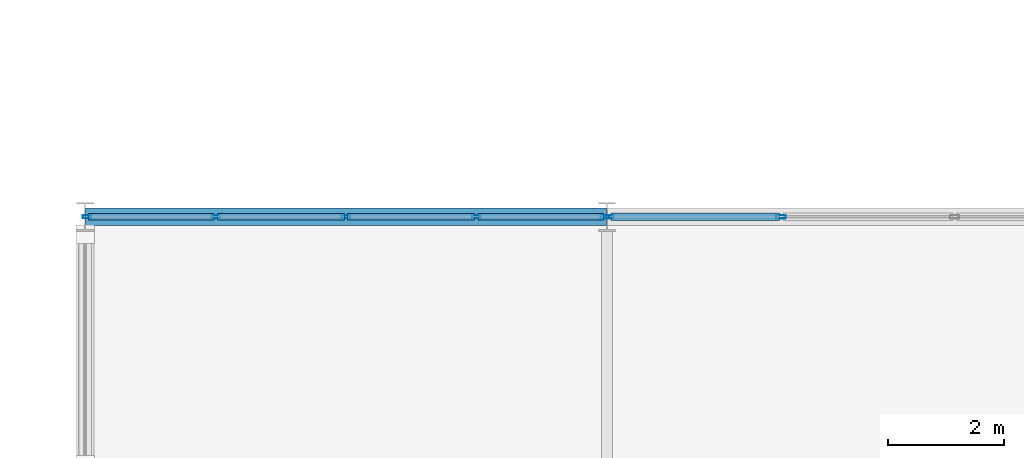
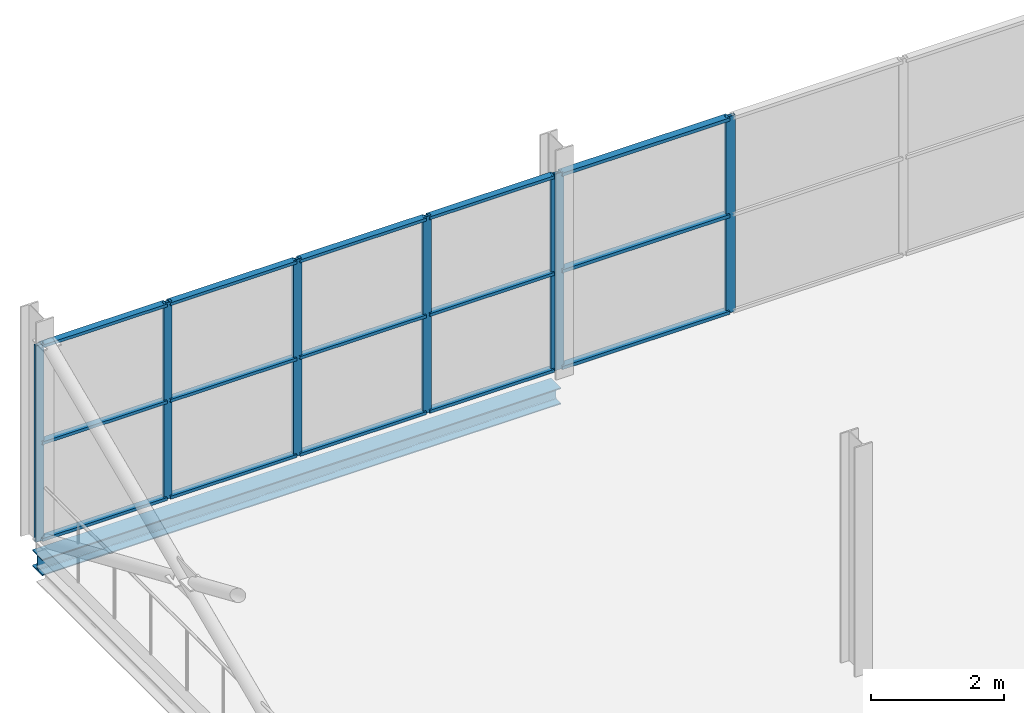
# One storey, part 62 of 135: 22 members, 1 beam, 2 elements without a shape of their own.
"""IFC4 building model written with IfcOpenShell, lengths in metres."""

from ifc_helpers import new_model, si_unit, direction, frame, origin, origin_2d, place, context, subcontext, project, spatial, hollow_rectangle, i_section, extrude, material, layer, layer_set, material_profile, profile_set, type_object, element, aggregate, save


model = new_model("IFC4")

# Units and contexts
model_context = context("Model", 3, precision=1e-05, world=origin(), true_north=direction((0.0, 1.0)))
body_context = subcontext(model_context, "Body", "Model", "MODEL_VIEW")
ifc_project = project(units=[si_unit("LENGTHUNIT", "METRE"), si_unit("AREAUNIT", "SQUARE_METRE"), si_unit("VOLUMEUNIT", "CUBIC_METRE"), si_unit("PLANEANGLEUNIT", "RADIAN"), si_unit("MASSUNIT", "GRAM", prefix="KILO")], contexts=[model_context])

# Site, building, storey
site_placement = place(None, origin())
site = spatial("IfcSite", under=ifc_project, at=site_placement, CompositionType="ELEMENT")
building_placement = place(site_placement, origin())
building = spatial("IfcBuilding", under=site, at=building_placement, Name="Deido Ridge Mobility Hub", CompositionType="ELEMENT")
storey_placement = place(building_placement, frame((0.0, 0.0, 4.199951171875)))
storey = spatial("IfcBuildingStorey", under=building, at=storey_placement, Name="L01", CompositionType="ELEMENT", Elevation=4.199951171875)

# Curtain wall, members
ifc_material_1 = material(Name="Anodised aluminium EN AW-6063 T6", Category="aluminium")
ifc_layer_1 = layer(ifc_material_1, 0.132080078125, Name="Anodised aluminium EN AW-6063 T6")
ifc_layer_set_1 = layer_set([ifc_layer_1], Name="Anodised aluminium EN AW-6063 T6")
curtain_wall_type_1 = type_object("IfcCurtainWallType", Name="CW-GS-1", PredefinedType="USERDEFINED", material=ifc_layer_set_1)
curtain_wall_1_placement = place(storey_placement, origin())
curtain_wall_1 = element("IfcCurtainWall", 1, at=curtain_wall_1_placement, inside=storey, type_object=curtain_wall_type_1, Name="Unitised curtain wall GS1", ObjectType="GLAZED SCREEN", PredefinedType="USERDEFINED")
ifc_material_profile_1 = material_profile(ifc_material_1, hollow_rectangle(XDim=0.054931640625, YDim=0.14501953125, WallThickness=0.00390625, at=origin_2d()), Name="RHS 55x145x4")
ifc_profile_set_1 = profile_set([ifc_material_profile_1], Name="Anodised aluminium EN AW-6063 T6")
member_type_1 = type_object("IfcMemberType", Name="MEM-MUL-55X145", PredefinedType="MULLION", material=ifc_profile_set_1)
member_1_placement = place(storey_placement, frame((0.034912109375, 81.0, 0.0), z_axis=(0.0, 0.0, 1.0), x_axis=(0.0, 1.0, 0.0)))
member_1 = element("IfcMember", 2, at=member_1_placement, type_object=member_type_1, Name="GS1 mullion 1", PredefinedType="MULLION", context=body_context, shape_type="SweptSolid", body=[
    extrude(hollow_rectangle(XDim=0.054931640625, YDim=0.14501953125, WallThickness=0.00390625, at=origin_2d()), origin(), (0.0, 0.0, 1.0), 3.60009765625),
])
member_2_placement = place(storey_placement, frame((2.253662109375, 81.0, 0.0), z_axis=(0.0, 0.0, 1.0), x_axis=(0.0, 1.0, 0.0)))
member_2 = element("IfcMember", 3, at=member_2_placement, type_object=member_type_1, Name="GS1 mullion 2", PredefinedType="MULLION", context=body_context, shape_type="SweptSolid", body=[
    extrude(hollow_rectangle(XDim=0.054931640625, YDim=0.14501953125, WallThickness=0.00390625, at=origin_2d()), origin(), (0.0, 0.0, 1.0), 3.60009765625),
])
member_3_placement = place(storey_placement, frame((4.5, 81.0, 0.0), z_axis=(0.0, 0.0, 1.0), x_axis=(0.0, 1.0, 0.0)))
member_3 = element("IfcMember", 4, at=member_3_placement, type_object=member_type_1, Name="GS1 mullion 3", PredefinedType="MULLION", context=body_context, shape_type="SweptSolid", body=[
    extrude(hollow_rectangle(XDim=0.054931640625, YDim=0.14501953125, WallThickness=0.00390625, at=origin_2d()), origin(), (0.0, 0.0, 1.0), 3.60009765625),
])
member_4_placement = place(storey_placement, frame((6.746337890625, 81.0, 0.0), z_axis=(0.0, 0.0, 1.0), x_axis=(0.0, 1.0, 0.0)))
member_4 = element("IfcMember", 5, at=member_4_placement, type_object=member_type_1, Name="GS1 mullion 4", PredefinedType="MULLION", context=body_context, shape_type="SweptSolid", body=[
    extrude(hollow_rectangle(XDim=0.054931640625, YDim=0.14501953125, WallThickness=0.00390625, at=origin_2d()), origin(), (0.0, 0.0, 1.0), 3.60009765625),
])
member_5_placement = place(storey_placement, frame((8.965087890625, 81.0, 0.0), z_axis=(0.0, 0.0, 1.0), x_axis=(0.0, 1.0, 0.0)))
member_5 = element("IfcMember", 6, at=member_5_placement, type_object=member_type_1, Name="GS1 mullion 5", PredefinedType="MULLION", context=body_context, shape_type="SweptSolid", body=[
    extrude(hollow_rectangle(XDim=0.054931640625, YDim=0.14501953125, WallThickness=0.00390625, at=origin_2d()), origin(), (0.0, 0.0, 1.0), 3.60009765625),
])

ifc_layer_2 = layer(ifc_material_1, 0.14404296875, Name="Anodised aluminium EN AW-6063 T6")
ifc_layer_set_2 = layer_set([ifc_layer_2], Name="Anodised aluminium EN AW-6063 T6")
curtain_wall_type_2 = type_object("IfcCurtainWallType", Name="CW-GS-2", PredefinedType="USERDEFINED", material=ifc_layer_set_2)
curtain_wall_2_placement = place(storey_placement, origin())
curtain_wall_2 = element("IfcCurtainWall", 7, at=curtain_wall_2_placement, inside=storey, type_object=curtain_wall_type_2, Name="Unitised curtain wall GS2", ObjectType="GLAZED SCREEN", PredefinedType="USERDEFINED")
ifc_material_profile_2 = material_profile(ifc_material_1, hollow_rectangle(XDim=0.06005859375, YDim=0.159912109375, WallThickness=0.00390625, at=origin_2d()), Name="RHS 60x160x4")
ifc_profile_set_2 = profile_set([ifc_material_profile_2], Name="Anodised aluminium EN AW-6063 T6")
member_type_2 = type_object("IfcMemberType", Name="MEM-MUL-60X160", PredefinedType="MULLION", material=ifc_profile_set_2)
member_6_placement = place(storey_placement, frame((9.037353515625, 81.0, 0.0), z_axis=(0.0, 0.0, 1.0), x_axis=(0.0, 1.0, 0.0)))
member_6 = element("IfcMember", 8, at=member_6_placement, type_object=member_type_2, Name="GS2 mullion 1", PredefinedType="MULLION", context=body_context, shape_type="SweptSolid", body=[
    extrude(hollow_rectangle(XDim=0.06005859375, YDim=0.159912109375, WallThickness=0.00390625, at=origin_2d()), origin(), (0.0, 0.0, 1.0), 3.60009765625),
])
member_7_placement = place(storey_placement, frame((12.00244140625, 81.0, 0.0), z_axis=(0.0, 0.0, 1.0), x_axis=(0.0, 1.0, 0.0)))
member_7 = element("IfcMember", 9, at=member_7_placement, type_object=member_type_2, Name="GS2 mullion 2", PredefinedType="MULLION", context=body_context, shape_type="SweptSolid", body=[
    extrude(hollow_rectangle(XDim=0.06005859375, YDim=0.159912109375, WallThickness=0.00390625, at=origin_2d()), origin(), (0.0, 0.0, 1.0), 3.60009765625),
])

# Member
ifc_material_profile_3 = material_profile(ifc_material_1, hollow_rectangle(XDim=0.114990234375, YDim=0.054931640625, WallThickness=0.00390625, at=origin_2d()), Name="RHS 115x55x4")
ifc_profile_set_3 = profile_set([ifc_material_profile_3], Name="Anodised aluminium EN AW-6063 T6")
member_type_3 = type_object("IfcMemberType", Name="MEM-TRN-115X55", PredefinedType="USERDEFINED", material=ifc_profile_set_3)
member_8_placement = place(storey_placement, frame((0.062255859375, 81.0, 0.027587890625), z_axis=(1.0, 0.0, 0.0), x_axis=(0.0, 1.0, 0.0)))
member_8 = element("IfcMember", 10, at=member_8_placement, type_object=member_type_3, Name="GS1 transom 1.1", ObjectType="TRANSOM", PredefinedType="USERDEFINED", context=body_context, shape_type="SweptSolid", body=[
    extrude(hollow_rectangle(XDim=0.114990234375, YDim=0.054931640625, WallThickness=0.00390625, at=origin_2d()), origin(), (0.0, 0.0, 1.0), 2.163818359375),
])

member_9_placement = place(storey_placement, frame((0.062255859375, 81.0, 1.800048828125), z_axis=(1.0, 0.0, 0.0), x_axis=(0.0, 1.0, 0.0)))
member_9 = element("IfcMember", 11, at=member_9_placement, type_object=member_type_3, Name="GS1 transom 1.2", ObjectType="TRANSOM", PredefinedType="USERDEFINED", context=body_context, shape_type="SweptSolid", body=[
    extrude(hollow_rectangle(XDim=0.114990234375, YDim=0.054931640625, WallThickness=0.00390625, at=origin_2d()), origin(), (0.0, 0.0, 1.0), 2.163818359375),
])

member_10_placement = place(storey_placement, frame((0.062255859375, 81.0, 3.572509765625), z_axis=(1.0, 0.0, 0.0), x_axis=(0.0, 1.0, 0.0)))
member_10 = element("IfcMember", 12, at=member_10_placement, type_object=member_type_3, Name="GS1 transom 1.3", ObjectType="TRANSOM", PredefinedType="USERDEFINED", context=body_context, shape_type="SweptSolid", body=[
    extrude(hollow_rectangle(XDim=0.114990234375, YDim=0.054931640625, WallThickness=0.00390625, at=origin_2d()), origin(), (0.0, 0.0, 1.0), 2.163818359375),
])

member_11_placement = place(storey_placement, frame((2.28125, 81.0, 0.027587890625), z_axis=(1.0, 0.0, 0.0), x_axis=(0.0, 1.0, 0.0)))
member_11 = element("IfcMember", 13, at=member_11_placement, type_object=member_type_3, Name="GS1 transom 2.1", ObjectType="TRANSOM", PredefinedType="USERDEFINED", context=body_context, shape_type="SweptSolid", body=[
    extrude(hollow_rectangle(XDim=0.114990234375, YDim=0.054931640625, WallThickness=0.00390625, at=origin_2d()), origin(), (0.0, 0.0, 1.0), 2.191162109375),
])

member_12_placement = place(storey_placement, frame((2.28125, 81.0, 1.800048828125), z_axis=(1.0, 0.0, 0.0), x_axis=(0.0, 1.0, 0.0)))
member_12 = element("IfcMember", 14, at=member_12_placement, type_object=member_type_3, Name="GS1 transom 2.2", ObjectType="TRANSOM", PredefinedType="USERDEFINED", context=body_context, shape_type="SweptSolid", body=[
    extrude(hollow_rectangle(XDim=0.114990234375, YDim=0.054931640625, WallThickness=0.00390625, at=origin_2d()), origin(), (0.0, 0.0, 1.0), 2.191162109375),
])

member_13_placement = place(storey_placement, frame((2.28125, 81.0, 3.572509765625), z_axis=(1.0, 0.0, 0.0), x_axis=(0.0, 1.0, 0.0)))
member_13 = element("IfcMember", 15, at=member_13_placement, type_object=member_type_3, Name="GS1 transom 2.3", ObjectType="TRANSOM", PredefinedType="USERDEFINED", context=body_context, shape_type="SweptSolid", body=[
    extrude(hollow_rectangle(XDim=0.114990234375, YDim=0.054931640625, WallThickness=0.00390625, at=origin_2d()), origin(), (0.0, 0.0, 1.0), 2.191162109375),
])

member_14_placement = place(storey_placement, frame((4.527587890625, 81.0, 0.027587890625), z_axis=(1.0, 0.0, 0.0), x_axis=(0.0, 1.0, 0.0)))
member_14 = element("IfcMember", 16, at=member_14_placement, type_object=member_type_3, Name="GS1 transom 3.1", ObjectType="TRANSOM", PredefinedType="USERDEFINED", context=body_context, shape_type="SweptSolid", body=[
    extrude(hollow_rectangle(XDim=0.114990234375, YDim=0.054931640625, WallThickness=0.00390625, at=origin_2d()), origin(), (0.0, 0.0, 1.0), 2.191162109375),
])

member_15_placement = place(storey_placement, frame((4.527587890625, 81.0, 1.800048828125), z_axis=(1.0, 0.0, 0.0), x_axis=(0.0, 1.0, 0.0)))
member_15 = element("IfcMember", 17, at=member_15_placement, type_object=member_type_3, Name="GS1 transom 3.2", ObjectType="TRANSOM", PredefinedType="USERDEFINED", context=body_context, shape_type="SweptSolid", body=[
    extrude(hollow_rectangle(XDim=0.114990234375, YDim=0.054931640625, WallThickness=0.00390625, at=origin_2d()), origin(), (0.0, 0.0, 1.0), 2.191162109375),
])

member_16_placement = place(storey_placement, frame((4.527587890625, 81.0, 3.572509765625), z_axis=(1.0, 0.0, 0.0), x_axis=(0.0, 1.0, 0.0)))
member_16 = element("IfcMember", 18, at=member_16_placement, type_object=member_type_3, Name="GS1 transom 3.3", ObjectType="TRANSOM", PredefinedType="USERDEFINED", context=body_context, shape_type="SweptSolid", body=[
    extrude(hollow_rectangle(XDim=0.114990234375, YDim=0.054931640625, WallThickness=0.00390625, at=origin_2d()), origin(), (0.0, 0.0, 1.0), 2.191162109375),
])

member_17_placement = place(storey_placement, frame((6.77392578125, 81.0, 0.027587890625), z_axis=(1.0, 0.0, 0.0), x_axis=(0.0, 1.0, 0.0)))
member_17 = element("IfcMember", 19, at=member_17_placement, type_object=member_type_3, Name="GS1 transom 4.1", ObjectType="TRANSOM", PredefinedType="USERDEFINED", context=body_context, shape_type="SweptSolid", body=[
    extrude(hollow_rectangle(XDim=0.114990234375, YDim=0.054931640625, WallThickness=0.00390625, at=origin_2d()), origin(), (0.0, 0.0, 1.0), 2.163818359375),
])

member_18_placement = place(storey_placement, frame((6.77392578125, 81.0, 1.800048828125), z_axis=(1.0, 0.0, 0.0), x_axis=(0.0, 1.0, 0.0)))
member_18 = element("IfcMember", 20, at=member_18_placement, type_object=member_type_3, Name="GS1 transom 4.2", ObjectType="TRANSOM", PredefinedType="USERDEFINED", context=body_context, shape_type="SweptSolid", body=[
    extrude(hollow_rectangle(XDim=0.114990234375, YDim=0.054931640625, WallThickness=0.00390625, at=origin_2d()), origin(), (0.0, 0.0, 1.0), 2.163818359375),
])

member_19_placement = place(storey_placement, frame((6.77392578125, 81.0, 3.572509765625), z_axis=(1.0, 0.0, 0.0), x_axis=(0.0, 1.0, 0.0)))
member_19 = element("IfcMember", 21, at=member_19_placement, type_object=member_type_3, Name="GS1 transom 4.3", ObjectType="TRANSOM", PredefinedType="USERDEFINED", context=body_context, shape_type="SweptSolid", body=[
    extrude(hollow_rectangle(XDim=0.114990234375, YDim=0.054931640625, WallThickness=0.00390625, at=origin_2d()), origin(), (0.0, 0.0, 1.0), 2.163818359375),
])

aggregate(curtain_wall_1, [member_1, member_2, member_3, member_4, member_5, member_8, member_9, member_10, member_11, member_12, member_13, member_14, member_15, member_16, member_17, member_18, member_19])

ifc_material_profile_4 = material_profile(ifc_material_1, hollow_rectangle(XDim=0.125, YDim=0.06005859375, WallThickness=0.00390625, at=origin_2d()), Name="RHS 125x60x4")
ifc_profile_set_4 = profile_set([ifc_material_profile_4], Name="Anodised aluminium EN AW-6063 T6")
member_type_4 = type_object("IfcMemberType", Name="MEM-TRN-125X60", PredefinedType="USERDEFINED", material=ifc_profile_set_4)
member_20_placement = place(storey_placement, frame((9.0673828125, 81.0, 0.030029296875), z_axis=(1.0, 0.0, 0.0), x_axis=(0.0, 1.0, 0.0)))
member_20 = element("IfcMember", 22, at=member_20_placement, type_object=member_type_4, Name="GS2 transom 1.1", ObjectType="TRANSOM", PredefinedType="USERDEFINED", context=body_context, shape_type="SweptSolid", body=[
    extrude(hollow_rectangle(XDim=0.125, YDim=0.06005859375, WallThickness=0.00390625, at=origin_2d()), origin(), (0.0, 0.0, 1.0), 2.905029296875),
])

member_21_placement = place(storey_placement, frame((9.0673828125, 81.0, 1.800048828125), z_axis=(1.0, 0.0, 0.0), x_axis=(0.0, 1.0, 0.0)))
member_21 = element("IfcMember", 23, at=member_21_placement, type_object=member_type_4, Name="GS2 transom 1.2", ObjectType="TRANSOM", PredefinedType="USERDEFINED", context=body_context, shape_type="SweptSolid", body=[
    extrude(hollow_rectangle(XDim=0.125, YDim=0.06005859375, WallThickness=0.00390625, at=origin_2d()), origin(), (0.0, 0.0, 1.0), 2.905029296875),
])

member_22_placement = place(storey_placement, frame((9.0673828125, 81.0, 3.570068359375), z_axis=(1.0, 0.0, 0.0), x_axis=(0.0, 1.0, 0.0)))
member_22 = element("IfcMember", 24, at=member_22_placement, type_object=member_type_4, Name="GS2 transom 1.3", ObjectType="TRANSOM", PredefinedType="USERDEFINED", context=body_context, shape_type="SweptSolid", body=[
    extrude(hollow_rectangle(XDim=0.125, YDim=0.06005859375, WallThickness=0.00390625, at=origin_2d()), origin(), (0.0, 0.0, 1.0), 2.905029296875),
])

aggregate(curtain_wall_2, [member_6, member_7, member_20, member_21, member_22])

# Beam
ifc_material_2 = material(Name="Steel S355J2 EN 10025-2", Category="steel")
ifc_material_profile_5 = material_profile(ifc_material_2, i_section(OverallWidth=0.300048828125, OverallDepth=0.300048828125, WebThickness=0.010986328125, FlangeThickness=0.01904296875, FilletRadius=0.027099609375, at=origin_2d()), Name="HEB 300")
ifc_profile_set_5 = profile_set([ifc_material_profile_5], Name="Steel S355J2 EN 10025-2")
beam_type = type_object("IfcBeamType", Name="SPD-HEB300", PredefinedType="SPANDREL", material=ifc_profile_set_5)
beam_placement = place(storey_placement, frame((0.00732421875, 81.0, -0.39990234375), z_axis=(1.0, 0.0, 0.0), x_axis=(0.0, 1.0, 0.0)))
element("IfcBeam", 25, at=beam_placement, inside=storey, type_object=beam_type, Name="Floor beam SP1", PredefinedType="SPANDREL", context=body_context, shape_type="SweptSolid", body=[
    extrude(i_section(OverallWidth=0.300048828125, OverallDepth=0.300048828125, WebThickness=0.010986328125, FlangeThickness=0.01904296875, FilletRadius=0.027099609375, at=origin_2d()), origin(), (0.0, 0.0, 1.0), 8.9853515625),
])

save(model, "model.ifc")
